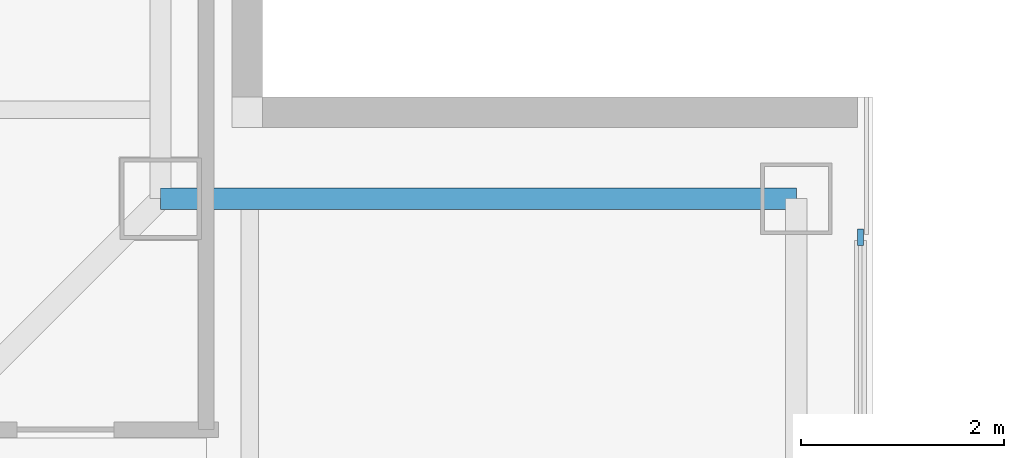
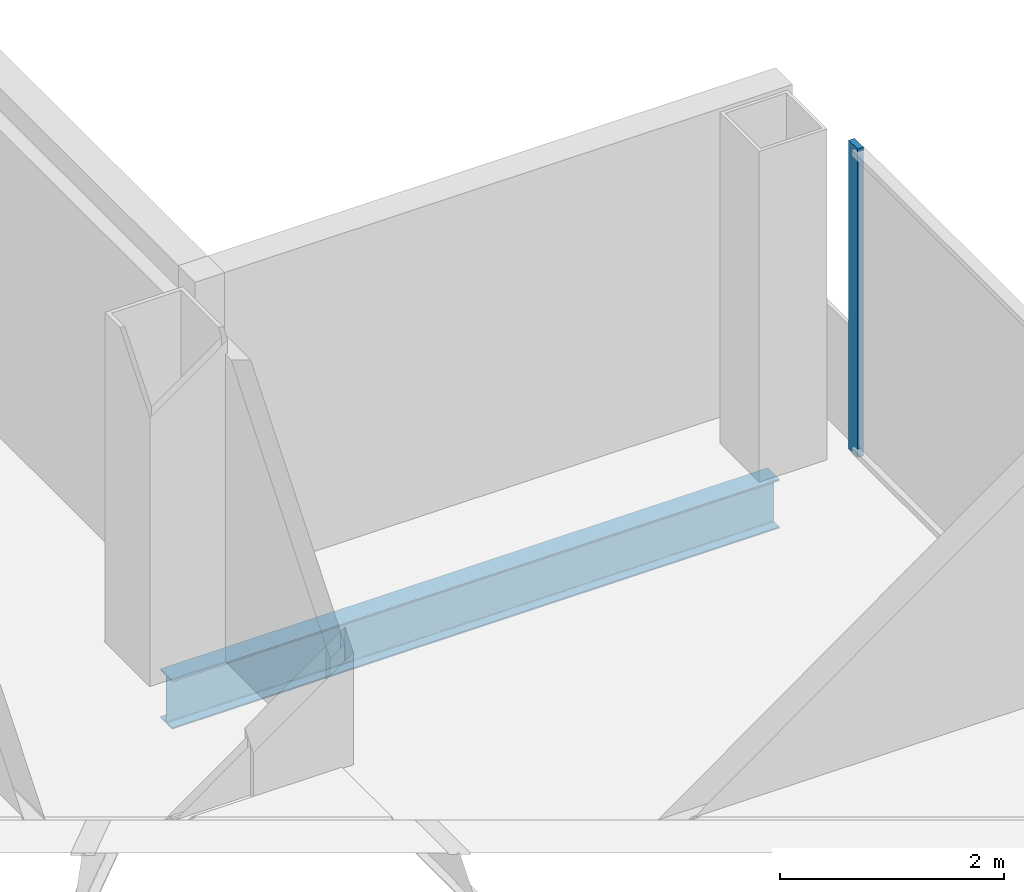
# One storey, part 6 of 15: 1 beam, 1 member, 1 element without a shape of its own.
"""IFC4 building model written with IfcOpenShell, lengths in metres."""

from ifc_helpers import new_model, si_unit, direction, frame, origin, origin_2d, place, context, subcontext, project, spatial, rectangle, i_section, extrude, material, layer, layer_set, material_profile, profile_set, type_object, element, aggregate, save


model = new_model("IFC4")

# Units and contexts
model_context = context("Model", 3, precision=1e-05, world=origin(), true_north=direction((0.0, 1.0)))
body_context = subcontext(model_context, "Body", "Model", "MODEL_VIEW")
ifc_project = project(units=[si_unit("LENGTHUNIT", "METRE"), si_unit("AREAUNIT", "SQUARE_METRE"), si_unit("VOLUMEUNIT", "CUBIC_METRE"), si_unit("PLANEANGLEUNIT", "RADIAN"), si_unit("MASSUNIT", "GRAM", prefix="KILO")], contexts=[model_context])

# Site, building, storey
site_placement = place(None, origin())
site = spatial("IfcSite", under=ifc_project, at=site_placement, CompositionType="ELEMENT")
building_placement = place(site_placement, origin())
building = spatial("IfcBuilding", under=site, at=building_placement, Name="Trevonay Congress Spire", CompositionType="ELEMENT")
storey_placement = place(building_placement, frame((0.0, 0.0, 243.199951171875)))
storey = spatial("IfcBuildingStorey", under=building, at=storey_placement, Name="L63", CompositionType="ELEMENT", Elevation=243.199951171875)

# Beam
ifc_material_1 = material(Name="Steel ASTM A572 Grade 50", Category="steel")
ifc_material_profile_1 = material_profile(ifc_material_1, i_section(OverallWidth=0.208984375, OverallDepth=0.532958984375, WebThickness=0.01025390625, FlangeThickness=0.015625, FilletRadius=0.014892578125, at=origin_2d()), Name="W530x92")
ifc_profile_set_1 = profile_set([ifc_material_profile_1], Name="Steel ASTM A572 Grade 50")
beam_type = type_object("IfcBeamType", Name="BM-RING-W530X92", PredefinedType="BEAM", material=ifc_profile_set_1)
beam_placement = place(storey_placement, frame((18.25, 12.0, -0.50634765625), z_axis=(-1.0, 0.0, 0.0), x_axis=(0.0, -1.0, 0.0)))
element("IfcBeam", 1, at=beam_placement, inside=storey, type_object=beam_type, Name="L63 structural beam BM-L63-N2NE", PredefinedType="BEAM", context=body_context, shape_type="SweptSolid", body=[
    extrude(i_section(OverallWidth=0.208984375, OverallDepth=0.532958984375, WebThickness=0.01025390625, FlangeThickness=0.015625, FilletRadius=0.014892578125, at=origin_2d()), origin(), (0.0, 0.0, 1.0), 6.25),
])

# Curtain wall, member
ifc_material_2 = material(Name="Pale Anodised Aluminium EN AW-6063-T6", Category="aluminium")
ifc_layer = layer(ifc_material_2, 0.1650390625, Name="Pale Anodised Aluminium EN AW-6063-T6")
ifc_layer_set = layer_set([ifc_layer], Name="Pale Anodised Aluminium EN AW-6063-T6")
curtain_wall_type = type_object("IfcCurtainWallType", Name="CW-SYS05-DIPLOM-PALE-METAL", PredefinedType="NOTDEFINED", material=ifc_layer_set)
curtain_wall_placement = place(storey_placement, origin())
curtain_wall = element("IfcCurtainWall", 2, at=curtain_wall_placement, inside=storey, type_object=curtain_wall_type, Name="L63 EB unitised curtain wall", PredefinedType="NOTDEFINED")
ifc_material_profile_2 = material_profile(ifc_material_2, rectangle(XDim=0.06005859375, YDim=0.159912109375, at=origin_2d()), Name="CW-MULLION-160-ALUMINIUM")
ifc_profile_set_2 = profile_set([ifc_material_profile_2], Name="Pale Anodised Aluminium EN AW-6063-T6")
member_type = type_object("IfcMemberType", Name="CW-MULLION-160-ALUMINIUM", PredefinedType="MULLION", material=ifc_profile_set_2)
member_placement = place(storey_placement, frame((18.8798828125, 11.6201171875, 0.0), z_axis=(0.0, 0.0, 1.0), x_axis=(-1.0, 0.0, 0.0)))
member = element("IfcMember", 3, at=member_placement, type_object=member_type, Name="CW05 mullion 2", PredefinedType="MULLION", context=body_context, shape_type="SweptSolid", body=[
    extrude(rectangle(XDim=0.06005859375, YDim=0.159912109375, at=origin_2d()), origin(), (0.0, 0.0, 1.0), 3.360107421875),
])
aggregate(curtain_wall, [member])

save(model, "model.ifc")
